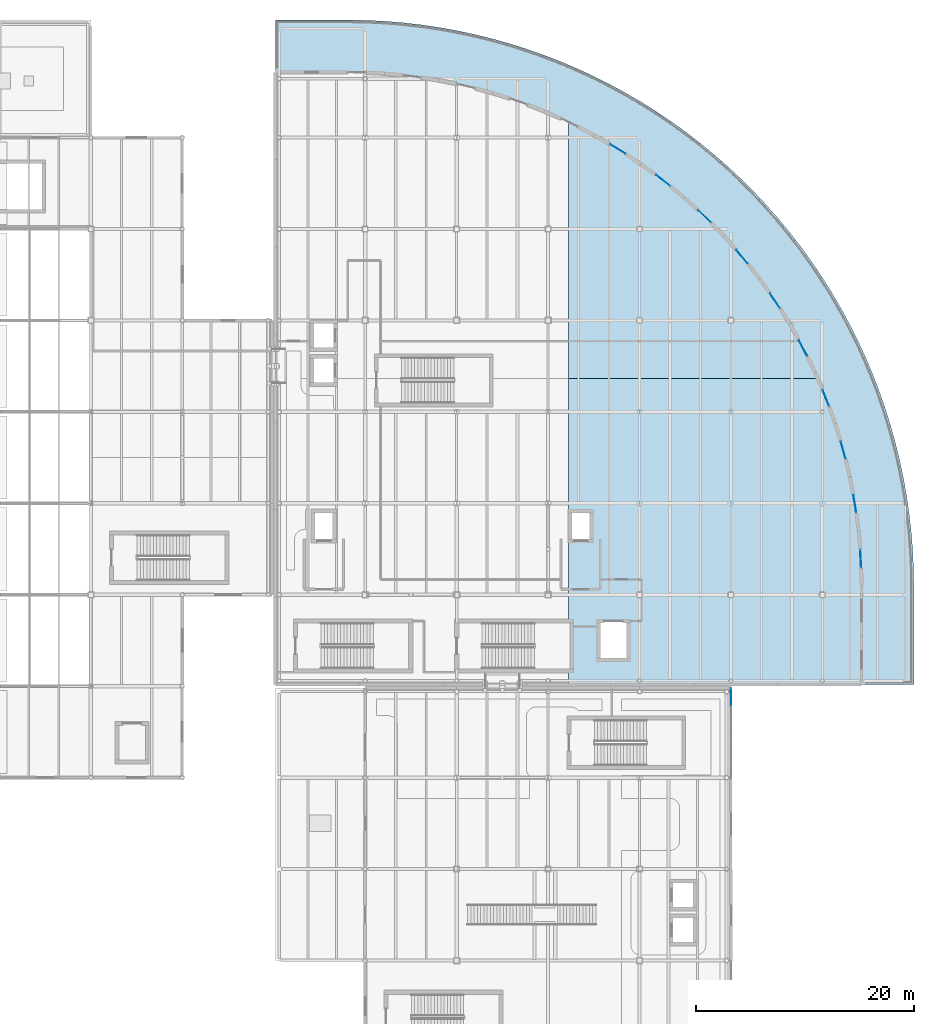
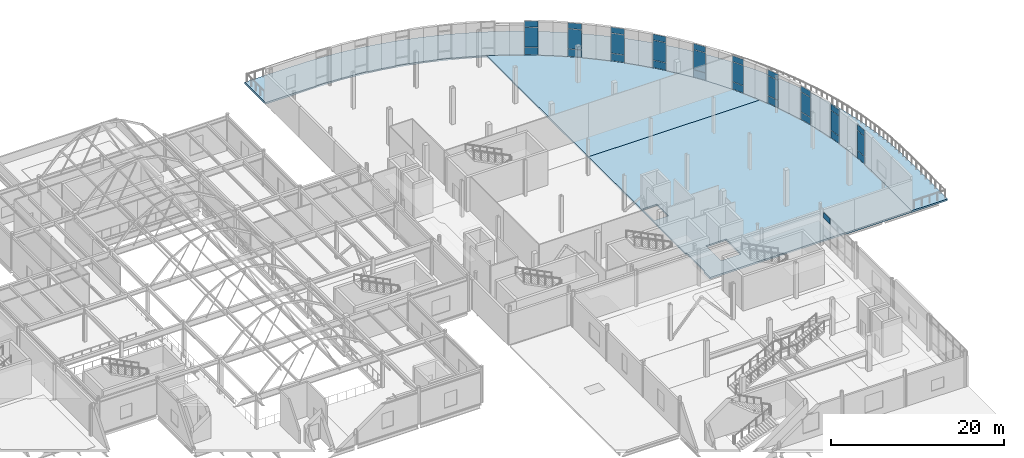
# One storey, part 61 of 103: 31 plates, 3 slabs, 11 elements without a shape of their own.
"""IFC4 building model written with IfcOpenShell, lengths in metres."""

from ifc_helpers import new_model, si_unit, direction, frame, origin, origin_2d, place, context, subcontext, project, spatial, polyline, rectangle, outline, extrude, material, layer, layer_set, type_object, element, aggregate, save


model = new_model("IFC4")

# Units and contexts
model_context = context("Model", 3, precision=1e-05, world=origin(), true_north=direction((0.0, 1.0)))
body_context = subcontext(model_context, "Body", "Model", "MODEL_VIEW")
ifc_project = project(units=[si_unit("LENGTHUNIT", "METRE"), si_unit("AREAUNIT", "SQUARE_METRE"), si_unit("VOLUMEUNIT", "CUBIC_METRE"), si_unit("PLANEANGLEUNIT", "RADIAN"), si_unit("MASSUNIT", "GRAM", prefix="KILO"), si_unit("THERMODYNAMICTEMPERATUREUNIT", "KELVIN")], contexts=[model_context])

# Site, building, storey
site_placement = place(None, origin())
site = spatial("IfcSite", under=ifc_project, at=site_placement, CompositionType="ELEMENT")
building_placement = place(site_placement, origin())
building = spatial("IfcBuilding", under=site, at=building_placement, Name="Lustrewick Department Store", CompositionType="ELEMENT")
storey_placement = place(building_placement, frame((0.0, 0.0, 16.5)))
storey = spatial("IfcBuildingStorey", under=building, at=storey_placement, Name="L04", CompositionType="ELEMENT", Elevation=16.5)

# Curtain wall, plates
ifc_material_1 = material(Name="Thermally broken aluminium 6063-T5", Category="aluminium")
ifc_layer_1 = layer(ifc_material_1, 0.199951171875, Name="Thermally broken aluminium 6063-T5")
ifc_layer_set_1 = layer_set([ifc_layer_1], Name="Thermally broken aluminium 6063-T5")
curtain_wall_type_1 = type_object("IfcCurtainWallType", Name="CW01", PredefinedType="NOTDEFINED", material=ifc_layer_set_1)
curtain_wall_1_placement = place(storey_placement, origin())
curtain_wall_1 = element("IfcCurtainWall", 1, at=curtain_wall_1_placement, inside=storey, type_object=curtain_wall_type_1, Name="L04 V4 Curtain Wall CW01", PredefinedType="NOTDEFINED")
ifc_material_2 = material(Name="Low-E laminated safety glass", Category="glass")
ifc_layer_2 = layer(ifc_material_2, 0.02392578125, Name="Low-E laminated safety glass")
ifc_layer_set_2 = layer_set([ifc_layer_2], Name="Low-E laminated safety glass")
plate_type_1 = type_object("IfcPlateType", Name="CP01", PredefinedType="CURTAIN_PANEL", material=ifc_layer_set_2)
plate_1_placement = place(storey_placement, frame((161.510986328125, 72.08544921875, 0.06982421875), z_axis=(0.0, 0.0, 1.0), x_axis=(-0.264523266472, 0.964379303747, 0.0)))
plate_1 = element("IfcPlate", 2, at=plate_1_placement, type_object=plate_type_1, Name="CW01 panel 1.1", PredefinedType="CURTAIN_PANEL", context=body_context, shape_type="SweptSolid", body=[
    extrude(rectangle(XDim=1.544921875, YDim=0.02392578125, at=origin_2d()), origin(), (0.0, 0.0, 1.0), 0.9951171875),
])
plate_2_placement = place(storey_placement, frame((161.510986328125, 72.08544921875, 1.135009765625), z_axis=(0.0, 0.0, 1.0), x_axis=(-0.264523266472, 0.964379303747, 0.0)))
plate_2 = element("IfcPlate", 3, at=plate_2_placement, type_object=plate_type_1, Name="CW01 panel 1.2", PredefinedType="CURTAIN_PANEL", context=body_context, shape_type="SweptSolid", body=[
    extrude(rectangle(XDim=1.544921875, YDim=0.02392578125, at=origin_2d()), origin(), (0.0, 0.0, 1.0), 2.77490234375),
])
plate_3_placement = place(storey_placement, frame((161.510986328125, 72.08544921875, 3.97998046875), z_axis=(0.0, 0.0, 1.0), x_axis=(-0.264523266472, 0.964379303747, 0.0)))
plate_3 = element("IfcPlate", 4, at=plate_3_placement, type_object=plate_type_1, Name="CW01 panel 1.3", PredefinedType="CURTAIN_PANEL", context=body_context, shape_type="SweptSolid", body=[
    extrude(rectangle(XDim=1.544921875, YDim=0.02392578125, at=origin_2d()), origin(), (0.0, 0.0, 1.0), 0.794921875),
])
aggregate(curtain_wall_1, [plate_1, plate_2, plate_3])

ifc_layer_3 = layer(ifc_material_1, 0.139892578125, Name="Thermally broken aluminium 6063-T5")
ifc_layer_set_3 = layer_set([ifc_layer_3], Name="Thermally broken aluminium 6063-T5")
curtain_wall_type_2 = type_object("IfcCurtainWallType", Name="CW06", PredefinedType="NOTDEFINED", material=ifc_layer_set_3)
curtain_wall_2_placement = place(storey_placement, origin())
curtain_wall_2 = element("IfcCurtainWall", 5, at=curtain_wall_2_placement, inside=storey, type_object=curtain_wall_type_2, Name="L04 V4 Curtain Wall CW06", PredefinedType="NOTDEFINED")
plate_4_placement = place(storey_placement, frame((148.76904296875, 93.560302734375, 0.054931640625), z_axis=(0.0, 0.0, 1.0), x_axis=(-0.71960595503, 0.694382653502, 0.0)))
plate_4 = element("IfcPlate", 6, at=plate_4_placement, type_object=plate_type_1, Name="CW06 panel 1.1", PredefinedType="CURTAIN_PANEL", context=body_context, shape_type="SweptSolid", body=[
    extrude(rectangle(XDim=1.574951171875, YDim=0.02392578125, at=origin_2d()), origin(), (0.0, 0.0, 1.0), 1.017578125),
])
plate_5_placement = place(storey_placement, frame((148.76904296875, 93.560302734375, 1.12744140625), z_axis=(0.0, 0.0, 1.0), x_axis=(-0.71960595503, 0.694382653502, 0.0)))
plate_5 = element("IfcPlate", 7, at=plate_5_placement, type_object=plate_type_1, Name="CW06 panel 1.2", PredefinedType="CURTAIN_PANEL", context=body_context, shape_type="SweptSolid", body=[
    extrude(rectangle(XDim=1.574951171875, YDim=0.02392578125, at=origin_2d()), origin(), (0.0, 0.0, 1.0), 2.7900390625),
])
plate_6_placement = place(storey_placement, frame((148.76904296875, 93.560302734375, 3.97265625), z_axis=(0.0, 0.0, 1.0), x_axis=(-0.71960595503, 0.694382653502, 0.0)))
plate_6 = element("IfcPlate", 8, at=plate_6_placement, type_object=plate_type_1, Name="CW06 panel 1.3", PredefinedType="CURTAIN_PANEL", context=body_context, shape_type="SweptSolid", body=[
    extrude(rectangle(XDim=1.574951171875, YDim=0.02392578125, at=origin_2d()), origin(), (0.0, 0.0, 1.0), 0.8173828125),
])
aggregate(curtain_wall_2, [plate_4, plate_5, plate_6])

ifc_layer_4 = layer(ifc_material_1, 0.179931640625, Name="Thermally broken aluminium 6063-T5")
ifc_layer_set_4 = layer_set([ifc_layer_4], Name="Thermally broken aluminium 6063-T5")
curtain_wall_type_3 = type_object("IfcCurtainWallType", Name="CW02", PredefinedType="NOTDEFINED", material=ifc_layer_set_4)
curtain_wall_3_placement = place(storey_placement, origin())
curtain_wall_3 = element("IfcCurtainWall", 9, at=curtain_wall_3_placement, inside=storey, type_object=curtain_wall_type_3, Name="L04 V4 Curtain Wall CW02", PredefinedType="NOTDEFINED")
ifc_layer_5 = layer(ifc_material_2, 0.02587890625, Name="Low-E laminated safety glass")
ifc_layer_set_5 = layer_set([ifc_layer_5], Name="Low-E laminated safety glass")
plate_type_2 = type_object("IfcPlateType", Name="CP02", PredefinedType="CURTAIN_PANEL", material=ifc_layer_set_5)
plate_7_placement = place(storey_placement, frame((159.91552734375, 76.878662109375, 0.06494140625), z_axis=(0.0, 0.0, 1.0), x_axis=(-0.366115041407, 0.930569597857, 0.0)))
plate_7 = element("IfcPlate", 10, at=plate_7_placement, type_object=plate_type_2, Name="CW02 panel 1.1", PredefinedType="CURTAIN_PANEL", context=body_context, shape_type="SweptSolid", body=[
    extrude(rectangle(XDim=1.554931640625, YDim=0.02587890625, at=origin_2d()), origin(), (0.0, 0.0, 1.0), 1.00244140625),
])
plate_8_placement = place(storey_placement, frame((159.91552734375, 76.878662109375, 1.13232421875), z_axis=(0.0, 0.0, 1.0), x_axis=(-0.366115041407, 0.930569597857, 0.0)))
plate_8 = element("IfcPlate", 11, at=plate_8_placement, type_object=plate_type_2, Name="CW02 panel 1.2", PredefinedType="CURTAIN_PANEL", context=body_context, shape_type="SweptSolid", body=[
    extrude(rectangle(XDim=1.554931640625, YDim=0.02587890625, at=origin_2d()), origin(), (0.0, 0.0, 1.0), 2.780029296875),
])
plate_9_placement = place(storey_placement, frame((159.91552734375, 76.878662109375, 3.9775390625), z_axis=(0.0, 0.0, 1.0), x_axis=(-0.366115041407, 0.930569597857, 0.0)))
plate_9 = element("IfcPlate", 12, at=plate_9_placement, type_object=plate_type_2, Name="CW02 panel 1.3", PredefinedType="CURTAIN_PANEL", context=body_context, shape_type="SweptSolid", body=[
    extrude(rectangle(XDim=1.554931640625, YDim=0.02587890625, at=origin_2d()), origin(), (0.0, 0.0, 1.0), 0.802490234375),
])
aggregate(curtain_wall_3, [plate_7, plate_8, plate_9])

ifc_layer_6 = layer(ifc_material_1, 0.1298828125, Name="Thermally broken aluminium 6063-T5")
ifc_layer_set_6 = layer_set([ifc_layer_6], Name="Thermally broken aluminium 6063-T5")
curtain_wall_type_4 = type_object("IfcCurtainWallType", Name="CW07", PredefinedType="NOTDEFINED", material=ifc_layer_set_6)
curtain_wall_4_placement = place(storey_placement, origin())
curtain_wall_4 = element("IfcCurtainWall", 13, at=curtain_wall_4_placement, inside=storey, type_object=curtain_wall_type_4, Name="L04 V4 Curtain Wall CW07", PredefinedType="NOTDEFINED")
plate_10_placement = place(storey_placement, frame((144.951171875, 96.86865234375, 0.054931640625), z_axis=(0.0, 0.0, 1.0), x_axis=(-0.78972917787, 0.613455642749, 0.0)))
plate_10 = element("IfcPlate", 14, at=plate_10_placement, type_object=plate_type_2, Name="CW07 panel 1.1", PredefinedType="CURTAIN_PANEL", context=body_context, shape_type="SweptSolid", body=[
    extrude(rectangle(XDim=1.574951171875, YDim=0.02587890625, at=origin_2d()), origin(), (0.0, 0.0, 1.0), 1.017578125),
])
plate_11_placement = place(storey_placement, frame((144.951171875, 96.86865234375, 1.12744140625), z_axis=(0.0, 0.0, 1.0), x_axis=(-0.78972917787, 0.613455642749, 0.0)))
plate_11 = element("IfcPlate", 15, at=plate_11_placement, type_object=plate_type_2, Name="CW07 panel 1.2", PredefinedType="CURTAIN_PANEL", context=body_context, shape_type="SweptSolid", body=[
    extrude(rectangle(XDim=1.574951171875, YDim=0.02587890625, at=origin_2d()), origin(), (0.0, 0.0, 1.0), 2.7900390625),
])
plate_12_placement = place(storey_placement, frame((144.951171875, 96.86865234375, 3.97265625), z_axis=(0.0, 0.0, 1.0), x_axis=(-0.78972917787, 0.613455642749, 0.0)))
plate_12 = element("IfcPlate", 16, at=plate_12_placement, type_object=plate_type_2, Name="CW07 panel 1.3", PredefinedType="CURTAIN_PANEL", context=body_context, shape_type="SweptSolid", body=[
    extrude(rectangle(XDim=1.574951171875, YDim=0.02587890625, at=origin_2d()), origin(), (0.0, 0.0, 1.0), 0.8173828125),
])
aggregate(curtain_wall_4, [plate_10, plate_11, plate_12])

# Curtain wall, plate
ifc_layer_7 = layer(ifc_material_1, 0.159912109375, Name="Thermally broken aluminium 6063-T5")
ifc_layer_set_7 = layer_set([ifc_layer_7], Name="Thermally broken aluminium 6063-T5")
curtain_wall_type_5 = type_object("IfcCurtainWallType", Name="CW13", PredefinedType="NOTDEFINED", material=ifc_layer_set_7)
curtain_wall_5_placement = place(storey_placement, origin())
curtain_wall_5 = element("IfcCurtainWall", 17, at=curtain_wall_5_placement, inside=storey, type_object=curtain_wall_type_5, Name="L04 V3 Curtain Wall CW13", PredefinedType="NOTDEFINED")
ifc_layer_8 = layer(ifc_material_2, 0.028076171875, Name="Low-E laminated safety glass")
ifc_layer_set_8 = layer_set([ifc_layer_8], Name="Low-E laminated safety glass")
plate_type_3 = type_object("IfcPlateType", Name="CP03", PredefinedType="CURTAIN_PANEL", material=ifc_layer_set_8)
plate_13_placement = place(storey_placement, frame((151.199951171875, 49.398681640625, 3.449951171875), z_axis=(0.0, 0.0, 1.0), x_axis=(0.0, 1.0, 0.0)))
plate_13 = element("IfcPlate", 18, at=plate_13_placement, type_object=plate_type_3, Name="CW13 panel 5.3", PredefinedType="CURTAIN_PANEL", context=body_context, shape_type="SweptSolid", body=[
    extrude(rectangle(XDim=1.58251953125, YDim=0.028076171875, at=origin_2d()), origin(), (0.0, 0.0, 1.0), 0.81005859375),
])
aggregate(curtain_wall_5, [plate_13])

# Curtain wall, plates
ifc_layer_9 = layer(ifc_material_1, 0.169921875, Name="Thermally broken aluminium 6063-T5")
ifc_layer_set_9 = layer_set([ifc_layer_9], Name="Thermally broken aluminium 6063-T5")
curtain_wall_type_6 = type_object("IfcCurtainWallType", Name="CW03", PredefinedType="NOTDEFINED", material=ifc_layer_set_9)
curtain_wall_6_placement = place(storey_placement, origin())
curtain_wall_6 = element("IfcCurtainWall", 19, at=curtain_wall_6_placement, inside=storey, type_object=curtain_wall_type_6, Name="L04 V4 Curtain Wall CW03", PredefinedType="NOTDEFINED")
plate_14_placement = place(storey_placement, frame((157.81689453125, 81.47412109375, 0.06494140625), z_axis=(0.0, 0.0, 1.0), x_axis=(-0.463494659192, 0.88609971273, 0.0)))
plate_14 = element("IfcPlate", 20, at=plate_14_placement, type_object=plate_type_3, Name="CW03 panel 1.1", PredefinedType="CURTAIN_PANEL", context=body_context, shape_type="SweptSolid", body=[
    extrude(rectangle(XDim=1.554931640625, YDim=0.028076171875, at=origin_2d()), origin(), (0.0, 0.0, 1.0), 1.00244140625),
])
plate_15_placement = place(storey_placement, frame((157.81689453125, 81.47412109375, 1.13232421875), z_axis=(0.0, 0.0, 1.0), x_axis=(-0.463494659192, 0.88609971273, 0.0)))
plate_15 = element("IfcPlate", 21, at=plate_15_placement, type_object=plate_type_3, Name="CW03 panel 1.2", PredefinedType="CURTAIN_PANEL", context=body_context, shape_type="SweptSolid", body=[
    extrude(rectangle(XDim=1.554931640625, YDim=0.028076171875, at=origin_2d()), origin(), (0.0, 0.0, 1.0), 2.780029296875),
])
plate_16_placement = place(storey_placement, frame((157.81689453125, 81.47412109375, 3.9775390625), z_axis=(0.0, 0.0, 1.0), x_axis=(-0.463494659192, 0.88609971273, 0.0)))
plate_16 = element("IfcPlate", 22, at=plate_16_placement, type_object=plate_type_3, Name="CW03 panel 1.3", PredefinedType="CURTAIN_PANEL", context=body_context, shape_type="SweptSolid", body=[
    extrude(rectangle(XDim=1.554931640625, YDim=0.028076171875, at=origin_2d()), origin(), (0.0, 0.0, 1.0), 0.802490234375),
])
aggregate(curtain_wall_6, [plate_14, plate_15, plate_16])

ifc_layer_10 = layer(ifc_material_1, 0.1201171875, Name="Thermally broken aluminium 6063-T5")
ifc_layer_set_10 = layer_set([ifc_layer_10], Name="Thermally broken aluminium 6063-T5")
curtain_wall_type_7 = type_object("IfcCurtainWallType", Name="CW08", PredefinedType="NOTDEFINED", material=ifc_layer_set_10)
curtain_wall_7_placement = place(storey_placement, origin())
curtain_wall_7 = element("IfcCurtainWall", 23, at=curtain_wall_7_placement, inside=storey, type_object=curtain_wall_type_7, Name="L04 V4 Curtain Wall CW08", PredefinedType="NOTDEFINED")
plate_17_placement = place(storey_placement, frame((140.801513671875, 99.75, 0.050048828125), z_axis=(0.0, 0.0, 1.0), x_axis=(-0.850770681458, 0.525537103896, 0.0)))
plate_17 = element("IfcPlate", 24, at=plate_17_placement, type_object=plate_type_3, Name="CW08 panel 1.1", PredefinedType="CURTAIN_PANEL", context=body_context, shape_type="SweptSolid", body=[
    extrude(rectangle(XDim=1.5849609375, YDim=0.028076171875, at=origin_2d()), origin(), (0.0, 0.0, 1.0), 1.02490234375),
])
plate_18_placement = place(storey_placement, frame((140.801513671875, 99.75, 1.125), z_axis=(0.0, 0.0, 1.0), x_axis=(-0.850770681458, 0.525537103896, 0.0)))
plate_18 = element("IfcPlate", 25, at=plate_18_placement, type_object=plate_type_3, Name="CW08 panel 1.2", PredefinedType="CURTAIN_PANEL", context=body_context, shape_type="SweptSolid", body=[
    extrude(rectangle(XDim=1.5849609375, YDim=0.028076171875, at=origin_2d()), origin(), (0.0, 0.0, 1.0), 2.794921875),
])
plate_19_placement = place(storey_placement, frame((140.801513671875, 99.75, 3.97021484375), z_axis=(0.0, 0.0, 1.0), x_axis=(-0.850770681458, 0.525537103896, 0.0)))
plate_19 = element("IfcPlate", 26, at=plate_19_placement, type_object=plate_type_3, Name="CW08 panel 1.3", PredefinedType="CURTAIN_PANEL", context=body_context, shape_type="SweptSolid", body=[
    extrude(rectangle(XDim=1.5849609375, YDim=0.028076171875, at=origin_2d()), origin(), (0.0, 0.0, 1.0), 0.824951171875),
])
aggregate(curtain_wall_7, [plate_17, plate_18, plate_19])

ifc_layer_11 = layer(ifc_material_1, 0.14990234375, Name="Thermally broken aluminium 6063-T5")
ifc_layer_set_11 = layer_set([ifc_layer_11], Name="Thermally broken aluminium 6063-T5")
curtain_wall_type_8 = type_object("IfcCurtainWallType", Name="CW14", PredefinedType="NOTDEFINED", material=ifc_layer_set_11)
curtain_wall_8_placement = place(storey_placement, origin())
curtain_wall_8 = element("IfcCurtainWall", 27, at=curtain_wall_8_placement, inside=storey, type_object=curtain_wall_type_8, Name="L04 V4 Curtain Wall CW14", PredefinedType="NOTDEFINED")
ifc_material_3 = material(Name="Tinted ceramic spandrel safety glass", Category="glass")
ifc_layer_12 = layer(ifc_material_3, 0.030029296875, Name="Tinted ceramic spandrel safety glass")
ifc_layer_set_12 = layer_set([ifc_layer_12], Name="Tinted ceramic spandrel safety glass")
plate_type_4 = type_object("IfcPlateType", Name="CP04", PredefinedType="CURTAIN_PANEL", material=ifc_layer_set_12)
plate_20_placement = place(storey_placement, frame((163.124755859375, 62.1259765625, 0.06005859375), z_axis=(0.0, 0.0, 1.0), x_axis=(-0.053533822595, 0.998566036794, 0.0)))
plate_20 = element("IfcPlate", 28, at=plate_20_placement, type_object=plate_type_4, Name="CW14 panel 1.1", PredefinedType="CURTAIN_PANEL", context=body_context, shape_type="SweptSolid", body=[
    extrude(rectangle(XDim=1.56494140625, YDim=0.030029296875, at=origin_2d()), origin(), (0.0, 0.0, 1.0), 1.010009765625),
])
plate_21_placement = place(storey_placement, frame((163.124755859375, 62.1259765625, 1.1298828125), z_axis=(0.0, 0.0, 1.0), x_axis=(-0.053533822595, 0.998566036794, 0.0)))
plate_21 = element("IfcPlate", 29, at=plate_21_placement, type_object=plate_type_4, Name="CW14 panel 1.2", PredefinedType="CURTAIN_PANEL", context=body_context, shape_type="SweptSolid", body=[
    extrude(rectangle(XDim=1.56494140625, YDim=0.030029296875, at=origin_2d()), origin(), (0.0, 0.0, 1.0), 2.784912109375),
])
plate_22_placement = place(storey_placement, frame((163.124755859375, 62.1259765625, 3.974853515625), z_axis=(0.0, 0.0, 1.0), x_axis=(-0.053533822595, 0.998566036794, 0.0)))
plate_22 = element("IfcPlate", 30, at=plate_22_placement, type_object=plate_type_4, Name="CW14 panel 1.3", PredefinedType="CURTAIN_PANEL", context=body_context, shape_type="SweptSolid", body=[
    extrude(rectangle(XDim=1.56494140625, YDim=0.030029296875, at=origin_2d()), origin(), (0.0, 0.0, 1.0), 0.81005859375),
])
aggregate(curtain_wall_8, [plate_20, plate_21, plate_22])

ifc_layer_13 = layer(ifc_material_1, 0.159912109375, Name="Thermally broken aluminium 6063-T5")
ifc_layer_set_13 = layer_set([ifc_layer_13], Name="Thermally broken aluminium 6063-T5")
curtain_wall_type_9 = type_object("IfcCurtainWallType", Name="CW04", PredefinedType="NOTDEFINED", material=ifc_layer_set_13)
curtain_wall_9_placement = place(storey_placement, origin())
curtain_wall_9 = element("IfcCurtainWall", 31, at=curtain_wall_9_placement, inside=storey, type_object=curtain_wall_type_9, Name="L04 V4 Curtain Wall CW04", PredefinedType="NOTDEFINED")
plate_23_placement = place(storey_placement, frame((155.2392578125, 85.818603515625, 0.06005859375), z_axis=(0.0, 0.0, 1.0), x_axis=(-0.555562736072, 0.831474621554, 0.0)))
plate_23 = element("IfcPlate", 32, at=plate_23_placement, type_object=plate_type_4, Name="CW04 panel 1.1", PredefinedType="CURTAIN_PANEL", context=body_context, shape_type="SweptSolid", body=[
    extrude(rectangle(XDim=1.56494140625, YDim=0.030029296875, at=origin_2d()), origin(), (0.0, 0.0, 1.0), 1.010009765625),
])
plate_24_placement = place(storey_placement, frame((155.2392578125, 85.818603515625, 1.1298828125), z_axis=(0.0, 0.0, 1.0), x_axis=(-0.555562736072, 0.831474621554, 0.0)))
plate_24 = element("IfcPlate", 33, at=plate_24_placement, type_object=plate_type_4, Name="CW04 panel 1.2", PredefinedType="CURTAIN_PANEL", context=body_context, shape_type="SweptSolid", body=[
    extrude(rectangle(XDim=1.56494140625, YDim=0.030029296875, at=origin_2d()), origin(), (0.0, 0.0, 1.0), 2.784912109375),
])
plate_25_placement = place(storey_placement, frame((155.2392578125, 85.818603515625, 3.974853515625), z_axis=(0.0, 0.0, 1.0), x_axis=(-0.555562736072, 0.831474621554, 0.0)))
plate_25 = element("IfcPlate", 34, at=plate_25_placement, type_object=plate_type_4, Name="CW04 panel 1.3", PredefinedType="CURTAIN_PANEL", context=body_context, shape_type="SweptSolid", body=[
    extrude(rectangle(XDim=1.56494140625, YDim=0.030029296875, at=origin_2d()), origin(), (0.0, 0.0, 1.0), 0.81005859375),
])
aggregate(curtain_wall_9, [plate_23, plate_24, plate_25])

ifc_layer_14 = layer(ifc_material_1, 0.139892578125, Name="Thermally broken aluminium 6063-T5")
ifc_layer_set_14 = layer_set([ifc_layer_14], Name="Thermally broken aluminium 6063-T5")
curtain_wall_type_10 = type_object("IfcCurtainWallType", Name="CW15", PredefinedType="NOTDEFINED", material=ifc_layer_set_14)
curtain_wall_10_placement = place(storey_placement, origin())
curtain_wall_10 = element("IfcCurtainWall", 35, at=curtain_wall_10_placement, inside=storey, type_object=curtain_wall_type_10, Name="L04 V4 Curtain Wall CW15", PredefinedType="NOTDEFINED")
ifc_material_4 = material(Name="Low-E triple laminated safety glass", Category="glass")
ifc_layer_15 = layer(ifc_material_4, 0.031982421875, Name="Low-E triple laminated safety glass")
ifc_layer_set_15 = layer_set([ifc_layer_15], Name="Low-E triple laminated safety glass")
plate_type_5 = type_object("IfcPlateType", Name="CP05", PredefinedType="CURTAIN_PANEL", material=ifc_layer_set_15)
plate_26_placement = place(storey_placement, frame((162.584716796875, 67.14892578125, 0.054931640625), z_axis=(0.0, 0.0, 1.0), x_axis=(-0.160008639673, 0.987115613913, 0.0)))
plate_26 = element("IfcPlate", 36, at=plate_26_placement, type_object=plate_type_5, Name="CW15 panel 1.1", PredefinedType="CURTAIN_PANEL", context=body_context, shape_type="SweptSolid", body=[
    extrude(rectangle(XDim=1.574951171875, YDim=0.031982421875, at=origin_2d()), origin(), (0.0, 0.0, 1.0), 1.017578125),
])
plate_27_placement = place(storey_placement, frame((162.584716796875, 67.14892578125, 1.12744140625), z_axis=(0.0, 0.0, 1.0), x_axis=(-0.160008639673, 0.987115613913, 0.0)))
plate_27 = element("IfcPlate", 37, at=plate_27_placement, type_object=plate_type_5, Name="CW15 panel 1.2", PredefinedType="CURTAIN_PANEL", context=body_context, shape_type="SweptSolid", body=[
    extrude(rectangle(XDim=1.574951171875, YDim=0.031982421875, at=origin_2d()), origin(), (0.0, 0.0, 1.0), 2.7900390625),
])
plate_28_placement = place(storey_placement, frame((162.584716796875, 67.14892578125, 3.97265625), z_axis=(0.0, 0.0, 1.0), x_axis=(-0.160008639673, 0.987115613913, 0.0)))
plate_28 = element("IfcPlate", 38, at=plate_28_placement, type_object=plate_type_5, Name="CW15 panel 1.3", PredefinedType="CURTAIN_PANEL", context=body_context, shape_type="SweptSolid", body=[
    extrude(rectangle(XDim=1.574951171875, YDim=0.031982421875, at=origin_2d()), origin(), (0.0, 0.0, 1.0), 0.8173828125),
])
aggregate(curtain_wall_10, [plate_26, plate_27, plate_28])

ifc_layer_16 = layer(ifc_material_1, 0.14990234375, Name="Thermally broken aluminium 6063-T5")
ifc_layer_set_16 = layer_set([ifc_layer_16], Name="Thermally broken aluminium 6063-T5")
curtain_wall_type_11 = type_object("IfcCurtainWallType", Name="CW05", PredefinedType="NOTDEFINED", material=ifc_layer_set_16)
curtain_wall_11_placement = place(storey_placement, origin())
curtain_wall_11 = element("IfcCurtainWall", 39, at=curtain_wall_11_placement, inside=storey, type_object=curtain_wall_type_11, Name="L04 V4 Curtain Wall CW05", PredefinedType="NOTDEFINED")
plate_29_placement = place(storey_placement, frame((152.211669921875, 89.863037109375, 0.06005859375), z_axis=(0.0, 0.0, 1.0), x_axis=(-0.641263720555, 0.767320559284, 0.0)))
plate_29 = element("IfcPlate", 40, at=plate_29_placement, type_object=plate_type_5, Name="CW05 panel 1.1", PredefinedType="CURTAIN_PANEL", context=body_context, shape_type="SweptSolid", body=[
    extrude(rectangle(XDim=1.56494140625, YDim=0.031982421875, at=origin_2d()), origin(), (0.0, 0.0, 1.0), 1.010009765625),
])
plate_30_placement = place(storey_placement, frame((152.211669921875, 89.863037109375, 1.1298828125), z_axis=(0.0, 0.0, 1.0), x_axis=(-0.641263720555, 0.767320559284, 0.0)))
plate_30 = element("IfcPlate", 41, at=plate_30_placement, type_object=plate_type_5, Name="CW05 panel 1.2", PredefinedType="CURTAIN_PANEL", context=body_context, shape_type="SweptSolid", body=[
    extrude(rectangle(XDim=1.56494140625, YDim=0.031982421875, at=origin_2d()), origin(), (0.0, 0.0, 1.0), 2.784912109375),
])
plate_31_placement = place(storey_placement, frame((152.211669921875, 89.863037109375, 3.974853515625), z_axis=(0.0, 0.0, 1.0), x_axis=(-0.641263720555, 0.767320559284, 0.0)))
plate_31 = element("IfcPlate", 42, at=plate_31_placement, type_object=plate_type_5, Name="CW05 panel 1.3", PredefinedType="CURTAIN_PANEL", context=body_context, shape_type="SweptSolid", body=[
    extrude(rectangle(XDim=1.56494140625, YDim=0.031982421875, at=origin_2d()), origin(), (0.0, 0.0, 1.0), 0.81005859375),
])
aggregate(curtain_wall_11, [plate_29, plate_30, plate_31])

# Slabs
ifc_material_5 = material(Name="Concrete C30", Category="concrete")
ifc_layer_17 = layer(ifc_material_5, 0.235107421875, Name="Concrete C30")
ifc_layer_set_17 = layer_set([ifc_layer_17], Name="Concrete C30")
slab_type_1 = type_object("IfcSlabType", Name="FS04", PredefinedType="FLOOR", material=ifc_layer_set_17)
slab_1_placement = place(storey_placement, frame((0.0, 0.0, -0.235107421875)))
element("IfcSlab", 43, at=slab_1_placement, inside=storey, type_object=slab_type_1, Name="L04 V4 Floor Slab FS04", PredefinedType="FLOOR", context=body_context, shape_type="SweptSolid", body=[
    extrude(outline(polyline([(159.607177734375, 77.66259765625), (159.16650390625, 78.675048828125), (136.27490234375, 78.675048828125), (136.27490234375, 56.199951171875), (136.39990234375, 56.199951171875), (136.39990234375, 52.0), (136.27490234375, 52.0), (136.27490234375, 50.550048828125), (163.199951171875, 50.550048828125), (163.199951171875, 59.60009765625), (163.169921875, 61.28466796875), (163.07958984375, 62.96728515625), (162.9296875, 64.6455078125), (162.719482421875, 66.3173828125), (162.449951171875, 67.98046875), (162.121337890625, 69.633056640625), (161.73388671875, 71.27294921875), (161.2880859375, 72.897705078125), (160.78466796875, 74.505615234375), (160.22412109375, 76.0947265625), (159.607177734375, 77.66259765625)]), holes=[polyline([(139.050048828125, 52.85009765625), (139.050048828125, 56.35009765625), (141.75, 56.35009765625), (141.75, 52.85009765625), (139.050048828125, 52.85009765625)]), polyline([(136.449951171875, 63.75), (136.449951171875, 66.449951171875), (138.35009765625, 66.449951171875), (138.35009765625, 63.75), (136.449951171875, 63.75)])]), origin(), (0.0, 0.0, 1.0), 0.235107421875),
])
slab_2_placement = place(storey_placement, frame((0.0, 0.0, -0.235107421875)))
element("IfcSlab", 44, at=slab_2_placement, inside=storey, type_object=slab_type_1, Name="L04 V4 Floor Slab FS04", PredefinedType="FLOOR", context=body_context, shape_type="SweptSolid", body=[
    extrude(outline(polyline([(137.12744140625, 101.807373046875), (136.27490234375, 102.21533203125), (136.27490234375, 78.675048828125), (159.16650390625, 78.675048828125), (158.9345703125, 79.20751953125), (158.20751953125, 80.7275390625), (157.426513671875, 82.220703125), (156.5927734375, 83.684814453125), (155.707275390625, 85.1181640625), (154.77099609375, 86.519287109375), (153.785400390625, 87.885986328125), (152.751953125, 89.216552734375), (151.67138671875, 90.509521484375), (150.54541015625, 91.762939453125), (149.37548828125, 92.975341796875), (148.162841796875, 94.1455078125), (146.909423828125, 95.271484375), (145.616455078125, 96.351806640625), (144.285888671875, 97.385498046875), (142.919189453125, 98.37109375), (141.518310546875, 99.30712890625), (140.084716796875, 100.192626953125), (138.62060546875, 101.0263671875), (137.12744140625, 101.807373046875)])), origin(), (0.0, 0.0, 1.0), 0.235107421875),
])
ifc_material_6 = material(Name="Concrete C35", Category="concrete")
ifc_layer_18 = layer(ifc_material_6, 0.2451171875, Name="Concrete C35")
ifc_layer_set_18 = layer_set([ifc_layer_18], Name="Concrete C35")
slab_type_2 = type_object("IfcSlabType", Name="TS01", PredefinedType="FLOOR", material=ifc_layer_set_18)
slab_3_placement = place(storey_placement, frame((0.0, 0.0, -0.2451171875)))
element("IfcSlab", 45, at=slab_3_placement, inside=storey, type_object=slab_type_2, Name="L04 V4 Stepped Planted Terrace TS01", PredefinedType="FLOOR", context=body_context, shape_type="SweptSolid", body=[
    extrude(outline(polyline([(109.35009765625, 111.60009765625), (109.35009765625, 106.800048828125), (116.0, 106.800048828125), (117.684814453125, 106.77001953125), (119.3671875, 106.6796875), (121.04541015625, 106.529541015625), (122.71728515625, 106.319580078125), (124.380615234375, 106.050048828125), (126.033203125, 105.72119140625), (127.6728515625, 105.333740234375), (129.2978515625, 104.88818359375), (130.90576171875, 104.384521484375), (132.49462890625, 103.823974609375), (134.062744140625, 103.20703125), (135.607666015625, 102.53466796875), (137.12744140625, 101.807373046875), (138.62060546875, 101.0263671875), (140.084716796875, 100.192626953125), (141.518310546875, 99.30712890625), (142.919189453125, 98.37109375), (144.285888671875, 97.385498046875), (145.616455078125, 96.351806640625), (146.909423828125, 95.271484375), (148.162841796875, 94.1455078125), (149.37548828125, 92.975341796875), (150.54541015625, 91.762939453125), (151.67138671875, 90.509521484375), (152.751953125, 89.216552734375), (153.785400390625, 87.885986328125), (154.77099609375, 86.519287109375), (155.707275390625, 85.1181640625), (156.5927734375, 83.684814453125), (157.426513671875, 82.220703125), (158.20751953125, 80.7275390625), (158.9345703125, 79.20751953125), (159.607177734375, 77.66259765625), (160.22412109375, 76.0947265625), (160.78466796875, 74.505615234375), (161.2880859375, 72.897705078125), (161.73388671875, 71.27294921875), (162.121337890625, 69.633056640625), (162.449951171875, 67.98046875), (162.719482421875, 66.3173828125), (162.9296875, 64.6455078125), (163.07958984375, 62.96728515625), (163.169921875, 61.28466796875), (163.199951171875, 59.60009765625), (163.199951171875, 50.550048828125), (168.0, 50.550048828125), (168.0, 59.60009765625), (167.973388671875, 61.2666015625), (167.893310546875, 62.931640625), (167.759765625, 64.59326171875), (167.572998046875, 66.24951171875), (167.33349609375, 67.899169921875), (167.041015625, 69.540283203125), (166.6962890625, 71.171142578125), (166.29931640625, 72.7900390625), (165.8505859375, 74.3955078125), (165.350830078125, 75.985595703125), (164.80029296875, 77.55908203125), (164.19970703125, 79.114013671875), (163.549560546875, 80.648681640625), (162.850341796875, 82.162109375), (162.103271484375, 83.652099609375), (161.30859375, 85.1171875), (160.46728515625, 86.556396484375), (159.58056640625, 87.9677734375), (158.64892578125, 89.35009765625), (157.673583984375, 90.70166015625), (156.6552734375, 92.021484375), (155.59521484375, 93.307861328125), (154.494384765625, 94.5595703125), (153.354248046875, 95.775390625), (152.175537109375, 96.9541015625), (150.959716796875, 98.094482421875), (149.7080078125, 99.1953125), (148.42138671875, 100.255126953125), (147.101806640625, 101.2734375), (145.75, 102.2490234375), (144.367919921875, 103.1806640625), (142.956298828125, 104.0673828125), (141.517333984375, 104.90869140625), (140.052001953125, 105.703125), (138.56201171875, 106.450439453125), (137.048583984375, 107.1494140625), (135.513916015625, 107.7998046875), (133.958984375, 108.400390625), (132.385498046875, 108.950927734375), (130.79541015625, 109.45068359375), (129.18994140625, 109.8994140625), (127.571044921875, 110.29638671875), (125.940185546875, 110.64111328125), (124.29931640625, 110.93359375), (122.649658203125, 111.173095703125), (120.9931640625, 111.359619140625), (119.331787109375, 111.4931640625), (117.666748046875, 111.5732421875), (116.0, 111.60009765625), (109.35009765625, 111.60009765625)])), origin(), (0.0, 0.0, 1.0), 0.2451171875),
])

save(model, "model.ifc")
